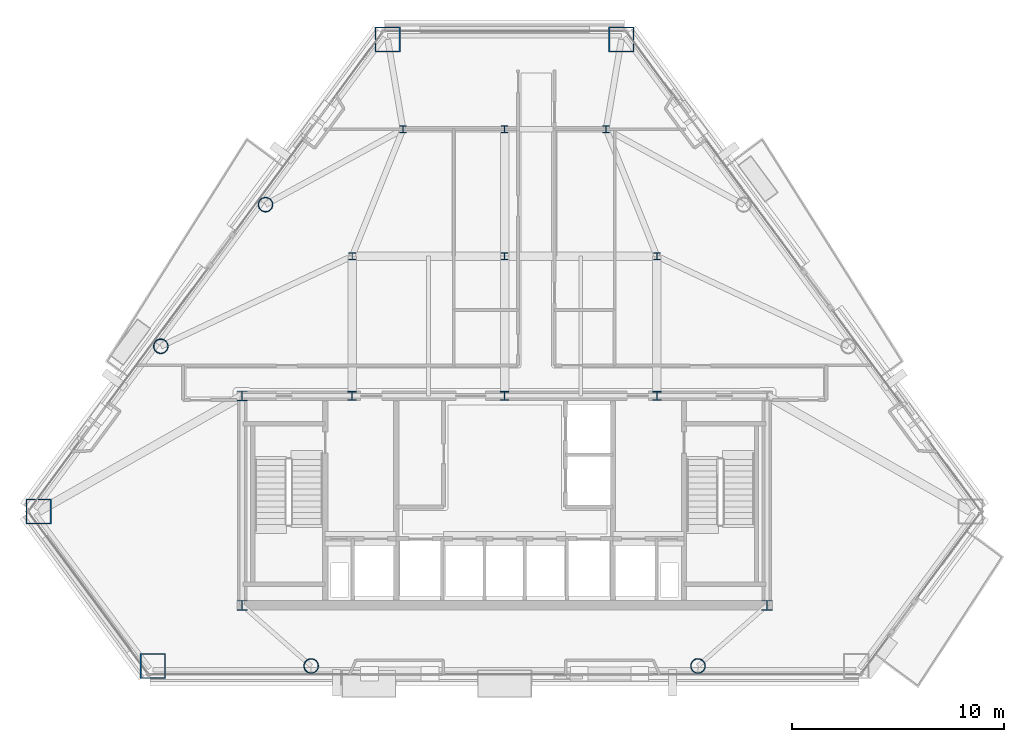
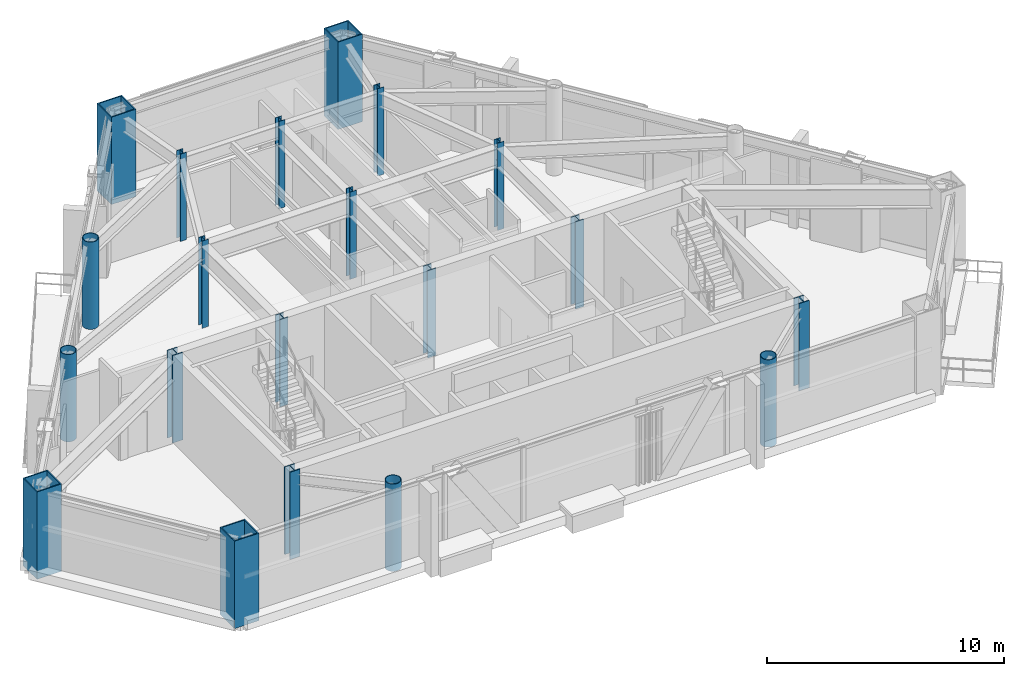
# One storey, part 1 of 11: 20 columns.
"""IFC4 building model written with IfcOpenShell, lengths in metres."""

from ifc_helpers import new_model, si_unit, direction, frame, origin, origin_2d, place, context, subcontext, project, spatial, hollow_rectangle, hollow_circle, i_section, extrude, material, material_profile, profile_set, type_object, element, save


model = new_model("IFC4")

# Units and contexts
model_context = context("Model", 3, precision=1e-05, world=origin(), true_north=direction((0.0, 1.0)))
body_context = subcontext(model_context, "Body", "Model", "MODEL_VIEW")
ifc_project = project(units=[si_unit("LENGTHUNIT", "METRE"), si_unit("AREAUNIT", "SQUARE_METRE"), si_unit("VOLUMEUNIT", "CUBIC_METRE"), si_unit("PLANEANGLEUNIT", "RADIAN"), si_unit("MASSUNIT", "GRAM", prefix="KILO")], contexts=[model_context])

# Site, building, storey
site_placement = place(None, origin())
site = spatial("IfcSite", under=ifc_project, at=site_placement, CompositionType="ELEMENT")
building_placement = place(site_placement, origin())
building = spatial("IfcBuilding", under=site, at=building_placement, Name="Talgorran Terracotta Tower", CompositionType="ELEMENT")
storey_placement = place(building_placement, frame((0.0, 0.0, 117.60009765625)))
storey = spatial("IfcBuildingStorey", under=building, at=storey_placement, Name="L30", CompositionType="ELEMENT", Elevation=117.60009765625)

# Columns
ifc_material_1 = material(Name="Steel S355 (300PLUS)", Category="steel")
ifc_material_profile_1 = material_profile(ifc_material_1, i_section(OverallWidth=0.311279296875, OverallDepth=0.3271484375, WebThickness=0.015625, FlangeThickness=0.02490234375, at=origin_2d()), Name="310UC158")
ifc_profile_set_1 = profile_set([ifc_material_profile_1], Name="Steel S355 (300PLUS)")
column_type_1 = type_object("IfcColumnType", Name="COL_310UC158", PredefinedType="COLUMN", material=ifc_profile_set_1)
for number, where, z_axis, x_axis, name in (
    (1, (-7.199951171875, 2.39990234375, 0.0), (0.0, 0.0, 1.0), (1.0, 0.0, 0.0), "L30 Interior Gravity Column IC1"),
    (2, (0.0, 2.39990234375, 0.0), (0.0, 0.0, 1.0), (1.0, 0.0, 0.0), "L30 Interior Gravity Column IC2"),
    (3, (7.199951171875, 2.39990234375, 0.0), (0.0, 0.0, 1.0), (1.0, 0.0, 0.0), "L30 Interior Gravity Column IC3"),
    (4, (-4.800048828125, 8.39990234375, 0.0), (0.0, 0.0, 1.0), (1.0, 0.0, 0.0), "L30 Interior Gravity Column IC4"),
    (5, (0.0, 8.39990234375, 0.0), (0.0, 0.0, 1.0), (1.0, 0.0, 0.0), "L30 Interior Gravity Column IC5"),
    (6, (4.800048828125, 8.39990234375, 0.0), (0.0, 0.0, 1.0), (1.0, 0.0, 0.0), "L30 Interior Gravity Column IC6"),
):
    element("IfcColumn", number, at=place(storey_placement, frame(where, z_axis=z_axis, x_axis=x_axis)), inside=storey, type_object=column_type_1, Name=name, PredefinedType="COLUMN", context=body_context, shape_type="SweptSolid", body=[
        extrude(i_section(OverallWidth=0.311279296875, OverallDepth=0.3271484375, WebThickness=0.015625, FlangeThickness=0.02490234375, at=origin_2d()), origin(), (0.0, 0.0, 1.0), 4.5),
    ])
ifc_material_profile_2 = material_profile(ifc_material_1, i_section(OverallWidth=0.5, OverallDepth=0.48193359375, WebThickness=0.0400390625, FlangeThickness=0.044921875, at=origin_2d()), Name="500WC440")
ifc_profile_set_2 = profile_set([ifc_material_profile_2], Name="Steel S355 (300PLUS)")
column_type_2 = type_object("IfcColumnType", Name="COL_500WC440", PredefinedType="COLUMN", material=ifc_profile_set_2)
for number, where, z_axis, x_axis, name in (
    (7, (-12.39990234375, -14.10009765625, 0.0), (0.0, 0.0, 1.0), (1.0, 0.0, 0.0), "L30 Core Boundary Column CC1"),
    (8, (12.39990234375, -14.10009765625, 0.0), (0.0, 0.0, 1.0), (1.0, 0.0, 0.0), "L30 Core Boundary Column CC2"),
    (9, (-12.39990234375, -4.199951171875, 0.0), (0.0, 0.0, 1.0), (1.0, 0.0, 0.0), "L30 Core Boundary Column CC4"),
):
    element("IfcColumn", number, at=place(storey_placement, frame(where, z_axis=z_axis, x_axis=x_axis)), inside=storey, type_object=column_type_2, Name=name, PredefinedType="COLUMN", context=body_context, shape_type="SweptSolid", body=[
        extrude(i_section(OverallWidth=0.5, OverallDepth=0.48193359375, WebThickness=0.0400390625, FlangeThickness=0.044921875, at=origin_2d()), origin(), (0.0, 0.0, 1.0), 4.5),
    ])
ifc_material_2 = material(Name="Steel Grade 350 (350L0)", Category="steel")
ifc_material_profile_3 = material_profile(ifc_material_2, hollow_rectangle(XDim=1.199951171875, YDim=1.199951171875, WallThickness=0.054931640625, at=origin_2d()), Name="CFT1200X1200X55")
ifc_profile_set_3 = profile_set([ifc_material_profile_3], Name="Steel Grade 350 (350L0)")
column_type_3 = type_object("IfcColumnType", Name="COL_CFT_1200", PredefinedType="COLUMN", material=ifc_profile_set_3)
for number, where, z_axis, x_axis, name in (
    (10, (-22.0185546875, -9.661865234375, 0.0), (0.0, 0.0, 1.0), (1.0, 0.0, 0.0), "L30 Corner CFT Mega-Column MC1"),
    (11, (-16.618408203125, -16.96337890625, 0.0), (0.0, 0.0, 1.0), (1.0, 0.0, 0.0), "L30 Corner CFT Mega-Column MC2"),
    (12, (5.5224609375, 12.641845703125, 0.0), (0.0, 0.0, 1.0), (1.0, 0.0, 0.0), "L30 Corner CFT Mega-Column MC5"),
    (13, (-5.5224609375, 12.641845703125, 0.0), (0.0, 0.0, 1.0), (1.0, 0.0, 0.0), "L30 Corner CFT Mega-Column MC6"),
):
    element("IfcColumn", number, at=place(storey_placement, frame(where, z_axis=z_axis, x_axis=x_axis)), inside=storey, type_object=column_type_3, Name=name, PredefinedType="COLUMN", context=body_context, shape_type="SweptSolid", body=[
        extrude(hollow_rectangle(XDim=1.199951171875, YDim=1.199951171875, WallThickness=0.054931640625, at=origin_2d()), origin(), (0.0, 0.0, 1.0), 4.5),
    ])
ifc_material_profile_4 = material_profile(ifc_material_2, hollow_circle(Radius=0.35009765625, WallThickness=0.030029296875, at=origin_2d()), Name="CHS700X30")
ifc_profile_set_4 = profile_set([ifc_material_profile_4], Name="Steel Grade 350 (350L0)")
column_type_4 = type_object("IfcColumnType", Name="COL_CHS_700", PredefinedType="COLUMN", material=ifc_profile_set_4)
for number, where, z_axis, x_axis, name in (
    (14, (-9.14013671875, -16.96337890625, 0.0), (0.0, 0.0, 1.0), (1.0, 0.0, 0.0), "L30 Facet Perimeter Column FC1"),
    (15, (9.14013671875, -16.96337890625, 0.0), (0.0, 0.0, 1.0), (1.0, 0.0, 0.0), "L30 Facet Perimeter Column FC2"),
    (16, (-11.296142578125, 4.835693359375, 0.0), (0.0, 0.0, 1.0), (1.0, 0.0, 0.0), "L30 Facet Perimeter Column FC5"),
    (17, (-16.244873046875, -1.855712890625, 0.0), (0.0, 0.0, 1.0), (1.0, 0.0, 0.0), "L30 Facet Perimeter Column FC6"),
):
    element("IfcColumn", number, at=place(storey_placement, frame(where, z_axis=z_axis, x_axis=x_axis)), inside=storey, type_object=column_type_4, Name=name, PredefinedType="COLUMN", context=body_context, shape_type="SweptSolid", body=[
        extrude(hollow_circle(Radius=0.35009765625, WallThickness=0.030029296875, at=origin_2d()), origin(), (0.0, 0.0, 1.0), 4.5),
    ])
ifc_material_profile_5 = material_profile(ifc_material_1, i_section(OverallWidth=0.405029296875, OverallDepth=0.4140625, WebThickness=0.02197265625, FlangeThickness=0.031982421875, at=origin_2d()), Name="400WC270")
ifc_profile_set_5 = profile_set([ifc_material_profile_5], Name="Steel S355 (300PLUS)")
column_type_5 = type_object("IfcColumnType", Name="COL_PIL_400WC270", PredefinedType="PILASTER", material=ifc_profile_set_5)
for number, where, z_axis, x_axis, name in (
    (18, (-7.199951171875, -4.199951171875, 0.0), (0.0, 0.0, 1.0), (1.0, 0.0, 0.0), "L30 Core Shear Pilaster CP1"),
    (19, (0.0, -4.199951171875, 0.0), (0.0, 0.0, 1.0), (1.0, 0.0, 0.0), "L30 Core Shear Pilaster CP2"),
    (20, (7.199951171875, -4.199951171875, 0.0), (0.0, 0.0, 1.0), (1.0, 0.0, 0.0), "L30 Core Shear Pilaster CP3"),
):
    element("IfcColumn", number, at=place(storey_placement, frame(where, z_axis=z_axis, x_axis=x_axis)), inside=storey, type_object=column_type_5, Name=name, PredefinedType="PILASTER", context=body_context, shape_type="SweptSolid", body=[
        extrude(i_section(OverallWidth=0.405029296875, OverallDepth=0.4140625, WebThickness=0.02197265625, FlangeThickness=0.031982421875, at=origin_2d()), origin(), (0.0, 0.0, 1.0), 4.5),
    ])

save(model, "model.ifc")
